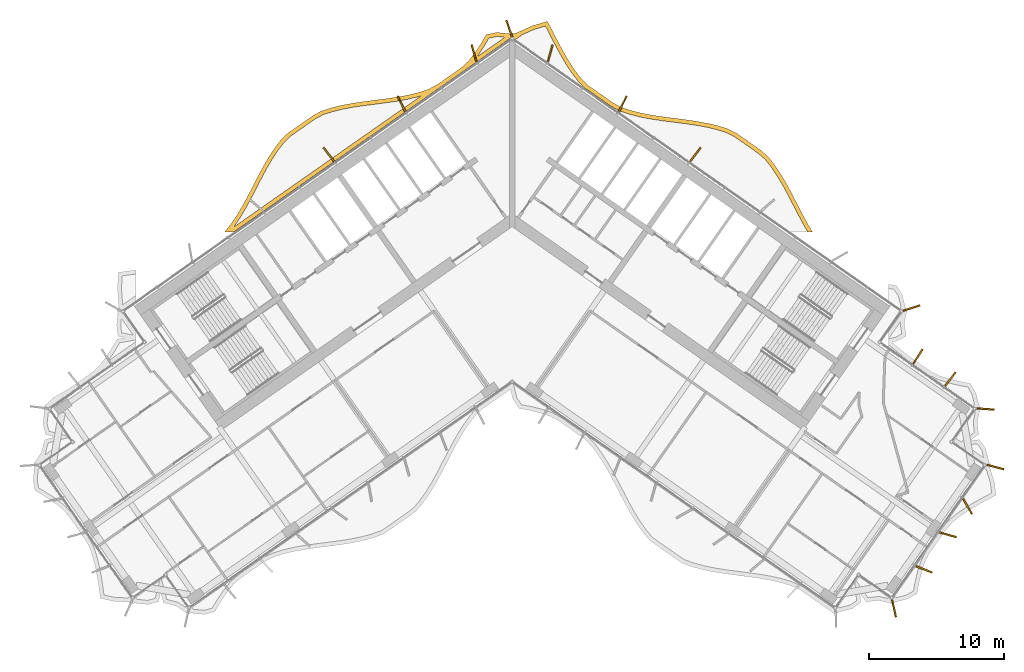
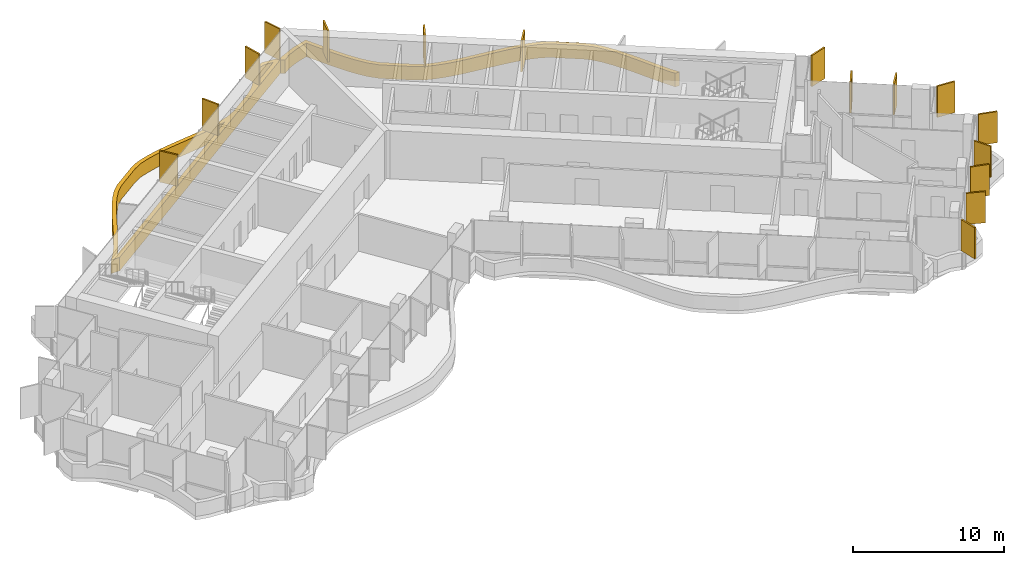
# One storey, part 21 of 21: 17 shading devices.
"""IFC4 building model written with IfcOpenShell, lengths in metres."""

from ifc_helpers import new_model, si_unit, direction, frame, origin, origin_2d, place, context, subcontext, project, spatial, polyline, rectangle, outline, extrude, material, layer, layer_set, type_object, element, save


model = new_model("IFC4")

# Units and contexts
model_context = context("Model", 3, precision=1e-05, world=origin(), true_north=direction((0.0, 1.0)))
body_context = subcontext(model_context, "Body", "Model", "MODEL_VIEW")
ifc_project = project(units=[si_unit("LENGTHUNIT", "METRE"), si_unit("AREAUNIT", "SQUARE_METRE"), si_unit("VOLUMEUNIT", "CUBIC_METRE"), si_unit("PLANEANGLEUNIT", "RADIAN"), si_unit("MASSUNIT", "GRAM", prefix="KILO")], contexts=[model_context])

# Site, building, storey
site_placement = place(None, origin())
site = spatial("IfcSite", under=ifc_project, at=site_placement, CompositionType="ELEMENT")
building_placement = place(site_placement, origin())
building = spatial("IfcBuilding", under=site, at=building_placement, Name="Tel Ilan Convention Tower", CompositionType="ELEMENT")
storey_placement = place(building_placement, frame((0.0, 0.0, 210.0)))
storey = spatial("IfcBuildingStorey", under=building, at=storey_placement, Name="L49", CompositionType="ELEMENT", Elevation=210.0)

# Shading devices
ifc_material_1 = material(Name="Aluminium, bronze anodised", Category="aluminium")
ifc_layer_1 = layer(ifc_material_1, 0.1201171875)
ifc_layer_set_1 = layer_set([ifc_layer_1], Name="FIN BRONZE 1300x120")
shading_device_type_1 = type_object("IfcShadingDeviceType", Name="FIN BRONZE 1300x120", PredefinedType="USERDEFINED", material=ifc_layer_set_1)
for number, where, z_axis, x_axis, name in (
    (1, (29.583984375, -7.253173828125, 1.10009765625), (0.0, 0.0, 1.0), (0.949242643575, 0.314544756146, 0.0), "FIN"),
    (2, (13.562744140625, 4.116943359375, 1.10009765625), (0.0, 0.0, 1.0), (0.612600545196, 0.790392669516, 0.0), "FIN"),
    (3, (8.1943359375, 7.87548828125, 1.10009765625), (0.0, 0.0, 1.0), (0.448799180206, 0.893632640321, 0.0), "FIN"),
    (4, (2.818115234375, 11.616943359375, 1.10009765625), (0.0, 0.0, 1.0), (0.268172612768, 0.963370878614, 0.0), "FIN"),
    (5, (-0.21630859375, 13.450439453125, 1.10009765625), (0.0, 0.0, 1.0), (-0.332892691468, 0.942964716183, 0.0), "FIN"),
    (6, (-2.818115234375, 11.616943359375, 1.10009765625), (0.0, 0.0, 1.0), (-0.268172612768, 0.963370878614, 0.0), "FIN"),
    (7, (-8.1943359375, 7.87548828125, 1.10009765625), (0.0, 0.0, 1.0), (-0.448799180206, 0.893632640321, 0.0), "FIN"),
    (8, (-13.562744140625, 4.116943359375, 1.10009765625), (0.0, 0.0, 1.0), (-0.612600545196, 0.790392669516, 0.0), "FIN"),
    (9, (28.28076171875, -29.49365234375, 1.10009765625), (0.0, 0.0, 1.0), (0.221170268371, -0.975235208752, 0.0), "FIN"),
    (10, (30.503662109375, -26.600830078125, 1.10009765625), (0.0, 0.0, 1.0), (0.932883704733, -0.360177724803, 0.0), "FIN"),
    (11, (32.277587890625, -24.0458984375, 1.10009765625), (0.0, 0.0, 1.0), (0.963370878614, -0.268172612768, 0.0), "FIN"),
    (12, (33.730224609375, -21.939208984375, 1.10009765625), (0.0, 0.0, 1.0), (0.5, -0.866025403784, 0.0), "FIN"),
    (13, (35.78662109375, -19.027587890625, 1.10009765625), (0.0, 0.0, 1.0), (0.965925826289, -0.258819045103, 0.0), "FIN"),
    (14, (35.059814453125, -14.72705078125, 1.10009765625), (0.0, 0.0, 1.0), (0.997697449973, -0.067821812994, 0.0), "FIN"),
    (15, (32.44873046875, -12.525390625, 1.10009765625), (0.0, 0.0, 1.0), (0.612600545196, 0.790392669516, 0.0), "FIN"),
    (16, (30.049072265625, -10.844970703125, 1.10009765625), (0.0, 0.0, 1.0), (0.533204432798, 0.845986425922, 0.0), "FIN"),
):
    element("IfcShadingDevice", number, at=place(storey_placement, frame(where, z_axis=z_axis, x_axis=x_axis)), inside=storey, type_object=shading_device_type_1, Name=name, ObjectType="FIN", PredefinedType="USERDEFINED", context=body_context, shape_type="SweptSolid", body=[
        extrude(rectangle(XDim=1.300048828125, YDim=0.1201171875, at=origin_2d()), origin(), (0.0, 0.0, 1.0), 2.52001953125),
    ])
ifc_material_2 = material(Name="Aluminium, bronze anodised", Category="aluminium")
ifc_layer_2 = layer(ifc_material_2, 0.300048828125)
ifc_layer_set_2 = layer_set([ifc_layer_2], Name="LOUVRE BAND 300x1100")
shading_device_type_2 = type_object("IfcShadingDeviceType", Name="LOUVRE BAND 300x1100", PredefinedType="USERDEFINED", material=ifc_layer_set_2)
shading_device_placement = place(storey_placement, origin())
element("IfcShadingDevice", 17, at=shading_device_placement, inside=storey, type_object=shading_device_type_2, Name="LOUVRE BAND 38.02", ObjectType="LOUVRE", PredefinedType="USERDEFINED", context=body_context, shape_type="SweptSolid", body=[
    extrude(outline(polyline([(-20.849609375, -1.0634765625), (-21.30126953125, -1.631591796875), (-20.63623046875, -1.631591796875), (0.0, 12.818115234375), (0.261474609375, 12.635009765625), (0.71044921875, 12.94921875), (0.651611328125, 12.94921875), (1.583984375, 13.365234375), (2.46484375, 13.628173828125), (3.115478515625, 12.37158203125), (3.5078125, 11.636474609375), (3.92041015625, 10.921630859375), (4.362548828125, 10.239501953125), (4.84716796875, 9.595947265625), (5.407958984375, 9.031494140625), (7.251220703125, 7.74072265625), (7.93212890625, 7.353759765625), (8.69921875, 7.09716796875), (9.48291015625, 6.89990234375), (10.2900390625, 6.745361328125), (11.112060546875, 6.621337890625), (12.762939453125, 6.408935546875), (13.572509765625, 6.29248046875), (14.3583984375, 6.15185546875), (15.11279296875, 5.97509765625), (15.819580078125, 5.75537109375), (16.44921875, 5.450927734375), (18.22607421875, 4.206787109375), (18.74951171875, 3.746826171875), (19.200927734375, 3.172607421875), (19.63037109375, 2.533447265625), (20.03515625, 1.850341796875), (20.423583984375, 1.13427734375), (21.186767578125, -0.3427734375), (21.5810546875, -1.075927734375), (21.906005859375, -1.631591796875), (22.25341796875, -1.631591796875), (21.8427734375, -0.928955078125), (21.4521484375, -0.202880859375), (20.688720703125, 1.27490234375), (20.296142578125, 1.998291015625), (19.884033203125, 2.69384765625), (19.44384765625, 3.34912109375), (18.96826171875, 3.9541015625), (18.41162109375, 4.443115234375), (16.6015625, 5.71044921875), (15.929931640625, 6.03515625), (15.191650390625, 6.2646484375), (14.419189453125, 6.44580078125), (13.6201171875, 6.588623046875), (12.80322265625, 6.7060546875), (11.15380859375, 6.91845703125), (10.340576171875, 7.041259765625), (9.547607421875, 7.19287109375), (8.783447265625, 7.385498046875), (8.054931640625, 7.62890625), (7.411865234375, 7.99462890625), (5.601806640625, 9.261962890625), (5.074462890625, 9.792724609375), (4.608642578125, 10.41162109375), (4.17626953125, 11.078369140625), (3.770263671875, 11.7822265625), (3.38134765625, 12.510986328125), (2.6162109375, 13.986328125), (1.4794921875, 13.647216796875), (0.168701171875, 13.059326171875), (0.11474609375, 13.09521484375), (0.0, 13.1181640625), (-0.11474609375, 13.09521484375), (-0.168701171875, 13.059326171875), (-1.14208984375, 13.1650390625), (-1.919921875, 12.991943359375), (-2.3310546875, 12.294921875), (-2.769287109375, 11.63671875), (-3.242431640625, 11.0283203125), (-3.7919921875, 10.529296875), (-5.601806640625, 9.261962890625), (-6.26611328125, 8.926513671875), (-7.002197265625, 8.693603515625), (-7.7724609375, 8.509765625), (-8.570068359375, 8.36474609375), (-9.385986328125, 8.24609375), (-11.03564453125, 8.033935546875), (-11.849853515625, 7.91259765625), (-12.644287109375, 7.76318359375), (-13.41064453125, 7.573486328125), (-14.141845703125, 7.33349609375), (-14.791748046875, 6.977783203125), (-16.6015625, 5.71044921875), (-17.136474609375, 5.1904296875), (-17.604736328125, 4.574951171875), (-18.0390625, 3.9111328125), (-18.44677734375, 3.209228515625), (-18.83642578125, 2.481689453125), (-19.60009765625, 1.004150390625), (-19.993408203125, 0.281982421875), (-20.4072265625, -0.4111328125), (-20.849609375, -1.0634765625)]), holes=[polyline([(-2.603271484375, 11.361572265625), (-2.525634765625, 11.46142578125), (-2.076904296875, 12.135498046875), (-1.727783203125, 12.727294921875), (-1.12451171875, 12.861572265625), (-0.547119140625, 12.80126953125), (-2.603271484375, 11.361572265625)]), polyline([(-20.614990234375, -1.25048828125), (-20.154052734375, -0.572265625), (-19.73291015625, 0.13330078125), (-19.335205078125, 0.86328125), (-18.57080078125, 2.342041015625), (-18.1845703125, 3.06298828125), (-17.78369140625, 3.75341796875), (-17.359619140625, 4.40185546875), (-16.911376953125, 4.99072265625), (-16.409912109375, 5.478515625), (-14.633056640625, 6.722412109375), (-14.02197265625, 7.05712890625), (-13.32763671875, 7.284912109375), (-12.58056640625, 7.4697265625), (-11.800048828125, 7.61669921875), (-10.994384765625, 7.73681640625), (-9.345458984375, 7.94873046875), (-8.521484375, 8.068603515625), (-7.710693359375, 8.216064453125), (-6.921875, 8.404296875), (-6.748046875, 8.459228515625), (-20.614990234375, -1.25048828125)])]), origin(), (0.0, 0.0, 1.0), 1.10009765625),
])

save(model, "model.ifc")
